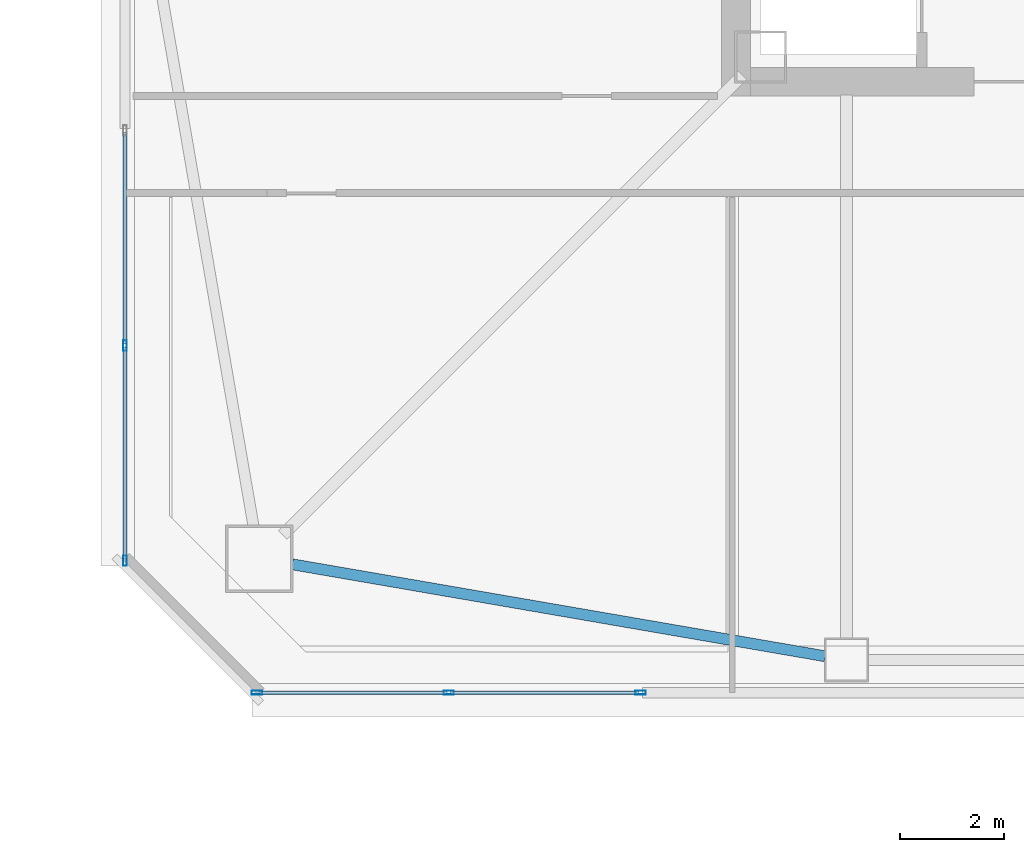
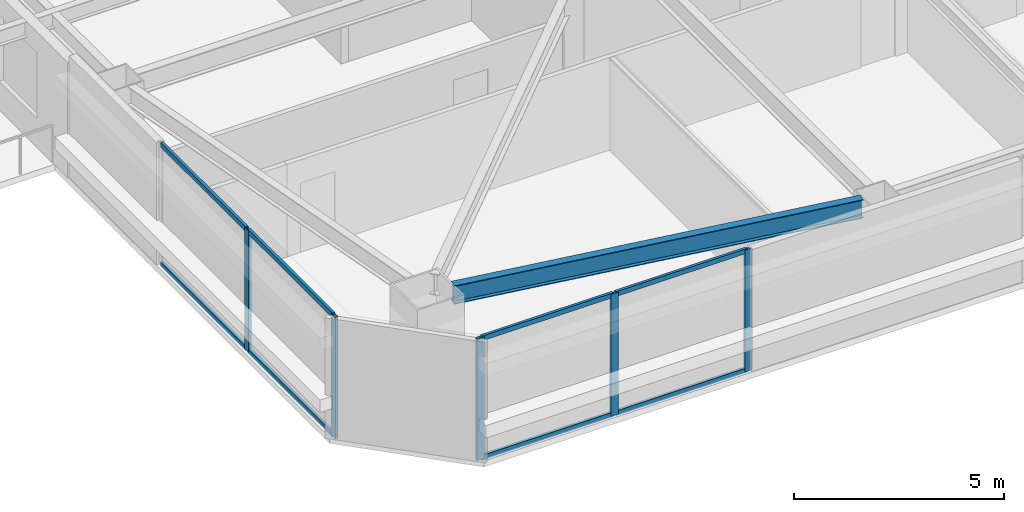
# One storey, part 3 of 44: 13 members, 1 beam, 2 elements without a shape of their own.
"""IFC4 building model written with IfcOpenShell, lengths in metres."""

from ifc_helpers import new_model, si_unit, direction, frame, origin, origin_2d, place, context, subcontext, project, spatial, hollow_rectangle, i_section, extrude, material, material_profile, profile_set, type_object, element, aggregate, save


model = new_model("IFC4")

# Units and contexts
model_context = context("Model", 3, precision=1e-05, world=origin(), true_north=direction((0.0, 1.0)))
body_context = subcontext(model_context, "Body", "Model", "MODEL_VIEW")
ifc_project = project(units=[si_unit("LENGTHUNIT", "METRE"), si_unit("AREAUNIT", "SQUARE_METRE"), si_unit("VOLUMEUNIT", "CUBIC_METRE"), si_unit("PLANEANGLEUNIT", "RADIAN"), si_unit("MASSUNIT", "GRAM", prefix="KILO")], contexts=[model_context])

# Site, building, storey
site_placement = place(None, origin())
site = spatial("IfcSite", under=ifc_project, at=site_placement, CompositionType="ELEMENT")
building_placement = place(site_placement, origin())
building = spatial("IfcBuilding", under=site, at=building_placement, Name="Tashvorn Skyway Center", CompositionType="ELEMENT")
storey_placement = place(building_placement, frame((0.0, 0.0, 128.60009765625)))
storey = spatial("IfcBuildingStorey", under=building, at=storey_placement, Name="L34", CompositionType="ELEMENT", Elevation=128.60009765625)

# Beam
ifc_material_1 = material(Name="Steel ASTM A992 Grade 50", Category="steel")
ifc_material_profile_1 = material_profile(ifc_material_1, i_section(OverallWidth=0.2109375, OverallDepth=0.5390625, WebThickness=0.01171875, FlangeThickness=0.018798828125, at=origin_2d()), Name="W21X73")
ifc_profile_set_1 = profile_set([ifc_material_profile_1], Name="Steel ASTM A992 Grade 50")
beam_type = type_object("IfcBeamType", Name="BM-SPANDREL-W21X73", PredefinedType="SPANDREL", material=ifc_profile_set_1)
beam_placement = place(storey_placement, frame((25.935546875, 15.1904296875, 3.100341796875), z_axis=(0.985432458462, -0.170067250846, 0.0), x_axis=(0.170067250846, 0.985432458462, 0.0)))
element("IfcBeam", 1, at=beam_placement, inside=storey, type_object=beam_type, Name="Tower 1 L34 Spandrel Beam 01", PredefinedType="SPANDREL", context=body_context, shape_type="SweptSolid", body=[
    extrude(i_section(OverallWidth=0.2109375, OverallDepth=0.5390625, WebThickness=0.01171875, FlangeThickness=0.018798828125, at=origin_2d()), origin(), (0.0, 0.0, 1.0), 10.402099609375),
])

# Curtain wall, members
ifc_material_2 = material(Name="Thermally broken bronze-anodized aluminium 6063-T6", Category="aluminium")
curtain_wall_type = type_object("IfcCurtainWallType", Name="CW-CW-Z3", PredefinedType="NOTDEFINED", material=ifc_material_2)
curtain_wall_1_placement = place(storey_placement, origin())
curtain_wall_1 = element("IfcCurtainWall", 2, at=curtain_wall_1_placement, inside=storey, type_object=curtain_wall_type, Name="Tower 1 L34 South Unitised Curtain Wall Glazing Group 3", PredefinedType="NOTDEFINED")
ifc_material_profile_2 = material_profile(ifc_material_2, hollow_rectangle(XDim=0.074951171875, YDim=0.199951171875, WallThickness=0.00439453125, at=origin_2d()), Name="ALU-MULL-75x200")
ifc_profile_set_2 = profile_set([ifc_material_profile_2], Name="Thermally broken bronze-anodized aluminium 6063-T6")
member_type_1 = type_object("IfcMemberType", Name="CWM-CW-Z3", PredefinedType="MULLION", material=ifc_profile_set_2)
member_1_placement = place(storey_placement, frame((32.640380859375, 12.719970703125, 0.0), z_axis=(0.0, 0.0, 1.0), x_axis=(0.0, -1.0, 0.0)))
member_1 = element("IfcMember", 3, at=member_1_placement, type_object=member_type_1, Name="CW-Z3 mullion 1", PredefinedType="MULLION", context=body_context, shape_type="SweptSolid", body=[
    extrude(hollow_rectangle(XDim=0.074951171875, YDim=0.199951171875, WallThickness=0.00439453125, at=origin_2d()), origin(), (0.0, 0.0, 1.0), 3.5498046875),
])
member_2_placement = place(storey_placement, frame((28.948974609375, 12.719970703125, 0.0), z_axis=(0.0, 0.0, 1.0), x_axis=(0.0, -1.0, 0.0)))
member_2 = element("IfcMember", 4, at=member_2_placement, type_object=member_type_1, Name="CW-Z3 mullion 2", PredefinedType="MULLION", context=body_context, shape_type="SweptSolid", body=[
    extrude(hollow_rectangle(XDim=0.074951171875, YDim=0.199951171875, WallThickness=0.00439453125, at=origin_2d()), origin(), (0.0, 0.0, 1.0), 3.5498046875),
])
member_3_placement = place(storey_placement, frame((25.257568359375, 12.719970703125, 0.0), z_axis=(0.0, 0.0, 1.0), x_axis=(0.0, -1.0, 0.0)))
member_3 = element("IfcMember", 5, at=member_3_placement, type_object=member_type_1, Name="CW-Z3 mullion 3", PredefinedType="MULLION", context=body_context, shape_type="SweptSolid", body=[
    extrude(hollow_rectangle(XDim=0.074951171875, YDim=0.199951171875, WallThickness=0.00439453125, at=origin_2d()), origin(), (0.0, 0.0, 1.0), 3.5498046875),
])

curtain_wall_2_placement = place(storey_placement, origin())
curtain_wall_2 = element("IfcCurtainWall", 6, at=curtain_wall_2_placement, inside=storey, type_object=curtain_wall_type, Name="Tower 1 L34 West Curtain Wall L Glazing Group 1", PredefinedType="NOTDEFINED")
member_4_placement = place(storey_placement, frame((22.719970703125, 15.257568359375, 0.0), z_axis=(0.0, 0.0, 1.0), x_axis=(-1.0, 0.0, 0.0)))
member_4 = element("IfcMember", 7, at=member_4_placement, type_object=member_type_1, Name="CW-Z3 mullion 1", PredefinedType="MULLION", context=body_context, shape_type="SweptSolid", body=[
    extrude(hollow_rectangle(XDim=0.074951171875, YDim=0.199951171875, WallThickness=0.00439453125, at=origin_2d()), origin(), (0.0, 0.0, 1.0), 3.5498046875),
])
member_5_placement = place(storey_placement, frame((22.719970703125, 19.396728515625, 0.0), z_axis=(0.0, 0.0, 1.0), x_axis=(-1.0, 0.0, 0.0)))
member_5 = element("IfcMember", 8, at=member_5_placement, type_object=member_type_1, Name="CW-Z3 mullion 2", PredefinedType="MULLION", context=body_context, shape_type="SweptSolid", body=[
    extrude(hollow_rectangle(XDim=0.074951171875, YDim=0.199951171875, WallThickness=0.00439453125, at=origin_2d()), origin(), (0.0, 0.0, 1.0), 3.5498046875),
])

# Member
ifc_material_profile_3 = material_profile(ifc_material_2, hollow_rectangle(XDim=0.074951171875, YDim=0.139892578125, WallThickness=0.004150390625, at=origin_2d()), Name="ALU-TRAN-75x140")
ifc_profile_set_3 = profile_set([ifc_material_profile_3], Name="Thermally broken bronze-anodized aluminium 6063-T6")
member_type_2 = type_object("IfcMemberType", Name="CWT-CW-Z3", PredefinedType="USERDEFINED", material=ifc_profile_set_3)
member_6_placement = place(storey_placement, frame((32.602783203125, 12.719970703125, 0.037353515625), z_axis=(-1.0, 0.0, 0.0), x_axis=(0.0, -1.0, 0.0)))
member_6 = element("IfcMember", 9, at=member_6_placement, type_object=member_type_2, Name="CW-Z3 transom 1.1", ObjectType="TRANSOM", PredefinedType="USERDEFINED", context=body_context, shape_type="SweptSolid", body=[
    extrude(hollow_rectangle(XDim=0.074951171875, YDim=0.139892578125, WallThickness=0.004150390625, at=origin_2d()), origin(), (0.0, 0.0, 1.0), 3.616455078125),
])

member_7_placement = place(storey_placement, frame((32.602783203125, 12.719970703125, 3.512451171875), z_axis=(-1.0, 0.0, 0.0), x_axis=(0.0, -1.0, 0.0)))
member_7 = element("IfcMember", 10, at=member_7_placement, type_object=member_type_2, Name="CW-Z3 transom 1.2", ObjectType="TRANSOM", PredefinedType="USERDEFINED", context=body_context, shape_type="SweptSolid", body=[
    extrude(hollow_rectangle(XDim=0.074951171875, YDim=0.139892578125, WallThickness=0.004150390625, at=origin_2d()), origin(), (0.0, 0.0, 1.0), 3.616455078125),
])

member_8_placement = place(storey_placement, frame((28.911376953125, 12.719970703125, 0.037353515625), z_axis=(-1.0, 0.0, 0.0), x_axis=(0.0, -1.0, 0.0)))
member_8 = element("IfcMember", 11, at=member_8_placement, type_object=member_type_2, Name="CW-Z3 transom 2.1", ObjectType="TRANSOM", PredefinedType="USERDEFINED", context=body_context, shape_type="SweptSolid", body=[
    extrude(hollow_rectangle(XDim=0.074951171875, YDim=0.139892578125, WallThickness=0.004150390625, at=origin_2d()), origin(), (0.0, 0.0, 1.0), 3.616455078125),
])

member_9_placement = place(storey_placement, frame((28.911376953125, 12.719970703125, 3.512451171875), z_axis=(-1.0, 0.0, 0.0), x_axis=(0.0, -1.0, 0.0)))
member_9 = element("IfcMember", 12, at=member_9_placement, type_object=member_type_2, Name="CW-Z3 transom 2.2", ObjectType="TRANSOM", PredefinedType="USERDEFINED", context=body_context, shape_type="SweptSolid", body=[
    extrude(hollow_rectangle(XDim=0.074951171875, YDim=0.139892578125, WallThickness=0.004150390625, at=origin_2d()), origin(), (0.0, 0.0, 1.0), 3.616455078125),
])

aggregate(curtain_wall_1, [member_1, member_2, member_3, member_6, member_7, member_8, member_9])

member_10_placement = place(storey_placement, frame((22.719970703125, 15.294921875, 0.037353515625), z_axis=(0.0, 1.0, 0.0), x_axis=(-1.0, 0.0, 0.0)))
member_10 = element("IfcMember", 13, at=member_10_placement, type_object=member_type_2, Name="CW-Z3 transom 1.1", ObjectType="TRANSOM", PredefinedType="USERDEFINED", context=body_context, shape_type="SweptSolid", body=[
    extrude(hollow_rectangle(XDim=0.074951171875, YDim=0.139892578125, WallThickness=0.004150390625, at=origin_2d()), origin(), (0.0, 0.0, 1.0), 4.064208984375),
])

member_11_placement = place(storey_placement, frame((22.719970703125, 15.294921875, 3.512451171875), z_axis=(0.0, 1.0, 0.0), x_axis=(-1.0, 0.0, 0.0)))
member_11 = element("IfcMember", 14, at=member_11_placement, type_object=member_type_2, Name="CW-Z3 transom 1.2", ObjectType="TRANSOM", PredefinedType="USERDEFINED", context=body_context, shape_type="SweptSolid", body=[
    extrude(hollow_rectangle(XDim=0.074951171875, YDim=0.139892578125, WallThickness=0.004150390625, at=origin_2d()), origin(), (0.0, 0.0, 1.0), 4.064208984375),
])

member_12_placement = place(storey_placement, frame((22.719970703125, 19.43408203125, 0.037353515625), z_axis=(0.0, 1.0, 0.0), x_axis=(-1.0, 0.0, 0.0)))
member_12 = element("IfcMember", 15, at=member_12_placement, type_object=member_type_2, Name="CW-Z3 transom 2.1", ObjectType="TRANSOM", PredefinedType="USERDEFINED", context=body_context, shape_type="SweptSolid", body=[
    extrude(hollow_rectangle(XDim=0.074951171875, YDim=0.139892578125, WallThickness=0.004150390625, at=origin_2d()), origin(), (0.0, 0.0, 1.0), 4.064208984375),
])

member_13_placement = place(storey_placement, frame((22.719970703125, 19.43408203125, 3.512451171875), z_axis=(0.0, 1.0, 0.0), x_axis=(-1.0, 0.0, 0.0)))
member_13 = element("IfcMember", 16, at=member_13_placement, type_object=member_type_2, Name="CW-Z3 transom 2.2", ObjectType="TRANSOM", PredefinedType="USERDEFINED", context=body_context, shape_type="SweptSolid", body=[
    extrude(hollow_rectangle(XDim=0.074951171875, YDim=0.139892578125, WallThickness=0.004150390625, at=origin_2d()), origin(), (0.0, 0.0, 1.0), 4.064208984375),
])

aggregate(curtain_wall_2, [member_4, member_5, member_10, member_11, member_12, member_13])

save(model, "model.ifc")
